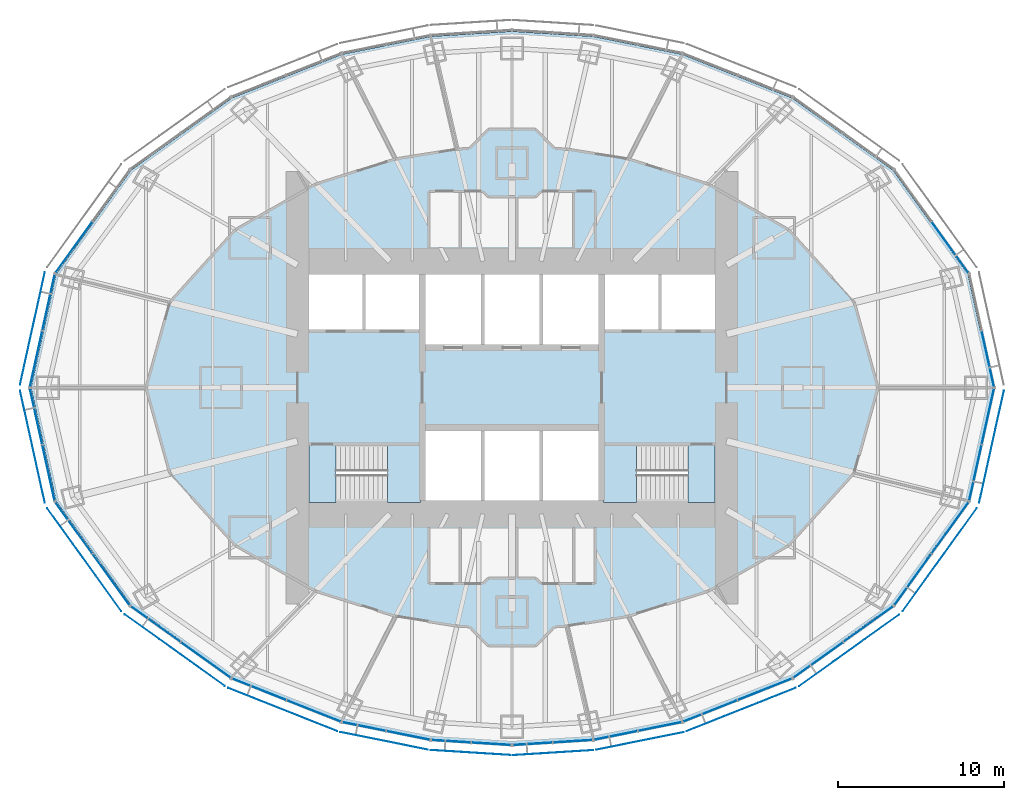
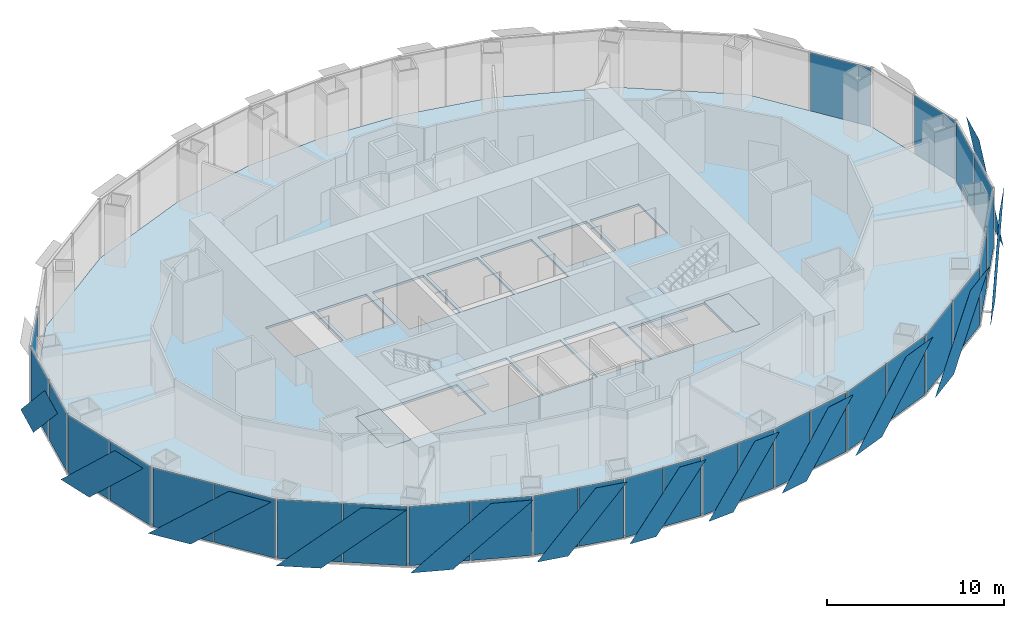
# One storey, part 9 of 18: 42 plates, 5 slabs, 18 elements without a shape of their own.
"""IFC4 building model written with IfcOpenShell, lengths in metres."""

from ifc_helpers import new_model, si_unit, direction, frame, origin, origin_2d, place, context, subcontext, project, spatial, polyline, rectangle, outline, extrude, material, layer, layer_set, type_object, element, aggregate, save


model = new_model("IFC4")

# Units and contexts
model_context = context("Model", 3, precision=1e-05, world=origin(), true_north=direction((0.0, 1.0)))
body_context = subcontext(model_context, "Body", "Model", "MODEL_VIEW")
ifc_project = project(units=[si_unit("LENGTHUNIT", "METRE"), si_unit("AREAUNIT", "SQUARE_METRE"), si_unit("VOLUMEUNIT", "CUBIC_METRE"), si_unit("PLANEANGLEUNIT", "RADIAN"), si_unit("MASSUNIT", "GRAM", prefix="KILO")], contexts=[model_context])

# Site, building, storey
site_placement = place(None, origin())
site = spatial("IfcSite", under=ifc_project, at=site_placement, CompositionType="ELEMENT")
building_placement = place(site_placement, origin())
building = spatial("IfcBuilding", under=site, at=building_placement, Name="Lantaw Convention Tower", CompositionType="ELEMENT")
storey_placement = place(building_placement, frame((0.0, 0.0, 176.199951171875)))
storey = spatial("IfcBuildingStorey", under=building, at=storey_placement, Name="L41", CompositionType="ELEMENT", Elevation=176.199951171875)

# Curtain wall, plate
ifc_material_1 = material(Name="Aluminium framed curtain wall", Category="aluminium")
curtain_wall_type = type_object("IfcCurtainWallType", Name="Office curtain wall low rise, pale aluminium", PredefinedType="USERDEFINED", material=ifc_material_1)
curtain_wall_1_placement = place(storey_placement, origin())
curtain_wall_1 = element("IfcCurtainWall", 1, at=curtain_wall_1_placement, inside=storey, type_object=curtain_wall_type, Name="Office curtain wall low rise, pale aluminium L41", ObjectType="UNITISED CURTAIN WALL", PredefinedType="USERDEFINED")
ifc_material_2 = material(Name="Clear insulating glass", Category="glass")
ifc_layer_1 = layer(ifc_material_2, 0.028076171875)
ifc_layer_set_1 = layer_set([ifc_layer_1], Name="CW-O1 panel 28")
plate_type_1 = type_object("IfcPlateType", Name="CW-O1 panel 28", PredefinedType="CURTAIN_PANEL", material=ifc_layer_set_1)
plate_1_placement = place(storey_placement, frame((28.618408203125, 1.729248046875, -0.0849609375), z_axis=(0.0, 0.0, 1.0), x_axis=(-0.215546166174, 0.9764936509, 0.0)))
plate_1 = element("IfcPlate", 2, at=plate_1_placement, type_object=plate_type_1, Name="CW-O1 panel 1.1", PredefinedType="CURTAIN_PANEL", context=body_context, shape_type="SweptSolid", body=[
    extrude(rectangle(XDim=3.41162109375, YDim=0.028076171875, at=origin_2d()), origin(), (0.0, 0.0, 1.0), 4.070068359375),
])
aggregate(curtain_wall_1, [plate_1])

curtain_wall_2_placement = place(storey_placement, origin())
curtain_wall_2 = element("IfcCurtainWall", 3, at=curtain_wall_2_placement, inside=storey, type_object=curtain_wall_type, Name="Office curtain wall low rise, pale aluminium L41", ObjectType="UNITISED CURTAIN WALL", PredefinedType="USERDEFINED")
plate_2_placement = place(storey_placement, frame((26.34814453125, 8.4345703125, -0.0849609375), z_axis=(0.0, 0.0, 1.0), x_axis=(-0.584512597221, 0.811384633629, 0.0)))
plate_2 = element("IfcPlate", 4, at=plate_2_placement, type_object=plate_type_1, Name="CW-O1 panel 1.1", PredefinedType="CURTAIN_PANEL", context=body_context, shape_type="SweptSolid", body=[
    extrude(rectangle(XDim=3.767333984375, YDim=0.028076171875, at=origin_2d()), origin(), (0.0, 0.0, 1.0), 4.070068359375),
])
aggregate(curtain_wall_2, [plate_2])

curtain_wall_3_placement = place(storey_placement, origin())
curtain_wall_3 = element("IfcCurtainWall", 5, at=curtain_wall_3_placement, inside=storey, type_object=curtain_wall_type, Name="Office curtain wall low rise, pale aluminium L41", ObjectType="UNITISED CURTAIN WALL", PredefinedType="USERDEFINED")
plate_3_placement = place(storey_placement, frame((-26.34814453125, 8.4345703125, -0.0849609375), z_axis=(0.0, 0.0, 1.0), x_axis=(-0.584512597221, -0.811384633629, 0.0)))
plate_3 = element("IfcPlate", 6, at=plate_3_placement, type_object=plate_type_1, Name="CW-O1 panel 2.1", PredefinedType="CURTAIN_PANEL", context=body_context, shape_type="SweptSolid", body=[
    extrude(rectangle(XDim=3.767333984375, YDim=0.028076171875, at=origin_2d()), origin(), (0.0, 0.0, 1.0), 4.070068359375),
])
aggregate(curtain_wall_3, [plate_3])

# Curtain wall, plates
curtain_wall_4_placement = place(storey_placement, origin())
curtain_wall_4 = element("IfcCurtainWall", 7, at=curtain_wall_4_placement, inside=storey, type_object=curtain_wall_type, Name="Office curtain wall low rise, pale aluminium L41", ObjectType="UNITISED CURTAIN WALL", PredefinedType="USERDEFINED")
plate_4_placement = place(storey_placement, frame((-27.868896484375, 5.1240234375, -0.0849609375), z_axis=(0.0, 0.0, 1.0), x_axis=(-0.215546166174, -0.9764936509, 0.0)))
plate_4 = element("IfcPlate", 8, at=plate_4_placement, type_object=plate_type_1, Name="CW-O1 panel 1.1", PredefinedType="CURTAIN_PANEL", context=body_context, shape_type="SweptSolid", body=[
    extrude(rectangle(XDim=3.41162109375, YDim=0.028076171875, at=origin_2d()), origin(), (0.0, 0.0, 1.0), 4.070068359375),
])
plate_5_placement = place(storey_placement, frame((-28.618408203125, 1.729248046875, -0.0849609375), z_axis=(0.0, 0.0, 1.0), x_axis=(-0.215546166174, -0.9764936509, 0.0)))
plate_5 = element("IfcPlate", 9, at=plate_5_placement, type_object=plate_type_1, Name="CW-O1 panel 2.1", PredefinedType="CURTAIN_PANEL", context=body_context, shape_type="SweptSolid", body=[
    extrude(rectangle(XDim=3.41162109375, YDim=0.028076171875, at=origin_2d()), origin(), (0.0, 0.0, 1.0), 4.070068359375),
])
aggregate(curtain_wall_4, [plate_4, plate_5])

curtain_wall_5_placement = place(storey_placement, origin())
curtain_wall_5 = element("IfcCurtainWall", 10, at=curtain_wall_5_placement, inside=storey, type_object=curtain_wall_type, Name="Office curtain wall low rise, pale aluminium L41", ObjectType="UNITISED CURTAIN WALL", PredefinedType="USERDEFINED")
plate_6_placement = place(storey_placement, frame((-28.618408203125, -1.729248046875, -0.0849609375), z_axis=(0.0, 0.0, 1.0), x_axis=(0.215546166174, -0.9764936509, 0.0)))
plate_6 = element("IfcPlate", 11, at=plate_6_placement, type_object=plate_type_1, Name="CW-O1 panel 1.1", PredefinedType="CURTAIN_PANEL", context=body_context, shape_type="SweptSolid", body=[
    extrude(rectangle(XDim=3.41162109375, YDim=0.028076171875, at=origin_2d()), origin(), (0.0, 0.0, 1.0), 4.070068359375),
])
plate_7_placement = place(storey_placement, frame((-27.868896484375, -5.1240234375, -0.0849609375), z_axis=(0.0, 0.0, 1.0), x_axis=(0.215546166174, -0.9764936509, 0.0)))
plate_7 = element("IfcPlate", 12, at=plate_7_placement, type_object=plate_type_1, Name="CW-O1 panel 2.1", PredefinedType="CURTAIN_PANEL", context=body_context, shape_type="SweptSolid", body=[
    extrude(rectangle(XDim=3.41162109375, YDim=0.028076171875, at=origin_2d()), origin(), (0.0, 0.0, 1.0), 4.070068359375),
])
aggregate(curtain_wall_5, [plate_6, plate_7])

curtain_wall_6_placement = place(storey_placement, origin())
curtain_wall_6 = element("IfcCurtainWall", 13, at=curtain_wall_6_placement, inside=storey, type_object=curtain_wall_type, Name="Office curtain wall low rise, pale aluminium L41", ObjectType="UNITISED CURTAIN WALL", PredefinedType="USERDEFINED")
plate_8_placement = place(storey_placement, frame((-26.34814453125, -8.4345703125, -0.0849609375), z_axis=(0.0, 0.0, 1.0), x_axis=(0.584512597221, -0.811384633629, 0.0)))
plate_8 = element("IfcPlate", 14, at=plate_8_placement, type_object=plate_type_1, Name="CW-O1 panel 1.1", PredefinedType="CURTAIN_PANEL", context=body_context, shape_type="SweptSolid", body=[
    extrude(rectangle(XDim=3.767333984375, YDim=0.028076171875, at=origin_2d()), origin(), (0.0, 0.0, 1.0), 4.070068359375),
])
plate_9_placement = place(storey_placement, frame((-24.108154296875, -11.5439453125, -0.0849609375), z_axis=(0.0, 0.0, 1.0), x_axis=(0.584512597221, -0.811384633629, 0.0)))
plate_9 = element("IfcPlate", 15, at=plate_9_placement, type_object=plate_type_1, Name="CW-O1 panel 2.1", PredefinedType="CURTAIN_PANEL", context=body_context, shape_type="SweptSolid", body=[
    extrude(rectangle(XDim=3.767333984375, YDim=0.028076171875, at=origin_2d()), origin(), (0.0, 0.0, 1.0), 4.070068359375),
])
aggregate(curtain_wall_6, [plate_8, plate_9])

curtain_wall_7_placement = place(storey_placement, origin())
curtain_wall_7 = element("IfcCurtainWall", 16, at=curtain_wall_7_placement, inside=storey, type_object=curtain_wall_type, Name="Office curtain wall low rise, pale aluminium L41", ObjectType="UNITISED CURTAIN WALL", PredefinedType="USERDEFINED")
plate_10_placement = place(storey_placement, frame((-21.43408203125, -14.2236328125, -0.0849609375), z_axis=(0.0, 0.0, 1.0), x_axis=(0.813208325995, -0.581972695693, 0.0)))
plate_10 = element("IfcPlate", 17, at=plate_10_placement, type_object=plate_type_1, Name="CW-O1 panel 1.1", PredefinedType="CURTAIN_PANEL", context=body_context, shape_type="SweptSolid", body=[
    extrude(rectangle(XDim=3.645263671875, YDim=0.028076171875, at=origin_2d()), origin(), (0.0, 0.0, 1.0), 4.070068359375),
])
plate_11_placement = place(storey_placement, frame((-18.416748046875, -16.383056640625, -0.0849609375), z_axis=(0.0, 0.0, 1.0), x_axis=(0.813208325995, -0.581972695693, 0.0)))
plate_11 = element("IfcPlate", 18, at=plate_11_placement, type_object=plate_type_1, Name="CW-O1 panel 2.1", PredefinedType="CURTAIN_PANEL", context=body_context, shape_type="SweptSolid", body=[
    extrude(rectangle(XDim=3.645263671875, YDim=0.028076171875, at=origin_2d()), origin(), (0.0, 0.0, 1.0), 4.070068359375),
])
aggregate(curtain_wall_7, [plate_10, plate_11])

curtain_wall_8_placement = place(storey_placement, origin())
curtain_wall_8 = element("IfcCurtainWall", 19, at=curtain_wall_8_placement, inside=storey, type_object=curtain_wall_type, Name="Office curtain wall low rise, pale aluminium L41", ObjectType="UNITISED CURTAIN WALL", PredefinedType="USERDEFINED")
plate_12_placement = place(storey_placement, frame((-15.208251953125, -18.145263671875, -0.0849609375), z_axis=(0.0, 0.0, 1.0), x_axis=(0.929547687544, -0.368701907483, 0.0)))
plate_12 = element("IfcPlate", 20, at=plate_12_placement, type_object=plate_type_1, Name="CW-O1 panel 1.1", PredefinedType="CURTAIN_PANEL", context=body_context, shape_type="SweptSolid", body=[
    extrude(rectangle(XDim=3.470703125, YDim=0.028076171875, at=origin_2d()), origin(), (0.0, 0.0, 1.0), 4.070068359375),
])
plate_13_placement = place(storey_placement, frame((-11.921630859375, -19.448974609375, -0.0849609375), z_axis=(0.0, 0.0, 1.0), x_axis=(0.929547687544, -0.368701907483, 0.0)))
plate_13 = element("IfcPlate", 21, at=plate_13_placement, type_object=plate_type_1, Name="CW-O1 panel 2.1", PredefinedType="CURTAIN_PANEL", context=body_context, shape_type="SweptSolid", body=[
    extrude(rectangle(XDim=3.470703125, YDim=0.028076171875, at=origin_2d()), origin(), (0.0, 0.0, 1.0), 4.070068359375),
])
aggregate(curtain_wall_8, [plate_12, plate_13])

curtain_wall_9_placement = place(storey_placement, origin())
curtain_wall_9 = element("IfcCurtainWall", 22, at=curtain_wall_9_placement, inside=storey, type_object=curtain_wall_type, Name="Office curtain wall low rise, pale aluminium L41", ObjectType="UNITISED CURTAIN WALL", PredefinedType="USERDEFINED")
plate_14_placement = place(storey_placement, frame((-8.893310546875, -20.3857421875, -0.0849609375), z_axis=(0.0, 0.0, 1.0), x_axis=(0.980301514912, -0.197506809659, 0.0)))
plate_14 = element("IfcPlate", 23, at=plate_14_placement, type_object=plate_type_1, Name="CW-O1 panel 1.1", PredefinedType="CURTAIN_PANEL", context=body_context, shape_type="SweptSolid", body=[
    extrude(rectangle(XDim=2.634033203125, YDim=0.028076171875, at=origin_2d()), origin(), (0.0, 0.0, 1.0), 4.070068359375),
])
plate_15_placement = place(storey_placement, frame((-6.247314453125, -20.9189453125, -0.0849609375), z_axis=(0.0, 0.0, 1.0), x_axis=(0.980301514912, -0.197506809659, 0.0)))
plate_15 = element("IfcPlate", 24, at=plate_15_placement, type_object=plate_type_1, Name="CW-O1 panel 2.1", PredefinedType="CURTAIN_PANEL", context=body_context, shape_type="SweptSolid", body=[
    extrude(rectangle(XDim=2.634033203125, YDim=0.028076171875, at=origin_2d()), origin(), (0.0, 0.0, 1.0), 4.070068359375),
])
aggregate(curtain_wall_9, [plate_14, plate_15])

curtain_wall_10_placement = place(storey_placement, origin())
curtain_wall_10 = element("IfcCurtainWall", 25, at=curtain_wall_10_placement, inside=storey, type_object=curtain_wall_type, Name="Office curtain wall low rise, pale aluminium L41", ObjectType="UNITISED CURTAIN WALL", PredefinedType="USERDEFINED")
plate_16_placement = place(storey_placement, frame((-3.653076171875, -21.269775390625, -0.0849609375), z_axis=(0.0, 0.0, 1.0), x_axis=(0.998022035978, -0.062865059466, 0.0)))
plate_16 = element("IfcPlate", 26, at=plate_16_placement, type_object=plate_type_1, Name="CW-O1 panel 1.1", PredefinedType="CURTAIN_PANEL", context=body_context, shape_type="SweptSolid", body=[
    extrude(rectangle(XDim=2.353515625, YDim=0.028076171875, at=origin_2d()), origin(), (0.0, 0.0, 1.0), 4.070068359375),
])
plate_17_placement = place(storey_placement, frame((-1.2392578125, -21.421875, -0.0849609375), z_axis=(0.0, 0.0, 1.0), x_axis=(0.998022035978, -0.062865059466, 0.0)))
plate_17 = element("IfcPlate", 27, at=plate_17_placement, type_object=plate_type_1, Name="CW-O1 panel 2.1", PredefinedType="CURTAIN_PANEL", context=body_context, shape_type="SweptSolid", body=[
    extrude(rectangle(XDim=2.353515625, YDim=0.028076171875, at=origin_2d()), origin(), (0.0, 0.0, 1.0), 4.070068359375),
])
aggregate(curtain_wall_10, [plate_16, plate_17])

curtain_wall_11_placement = place(storey_placement, origin())
curtain_wall_11 = element("IfcCurtainWall", 28, at=curtain_wall_11_placement, inside=storey, type_object=curtain_wall_type, Name="Office curtain wall low rise, pale aluminium L41", ObjectType="UNITISED CURTAIN WALL", PredefinedType="USERDEFINED")
plate_18_placement = place(storey_placement, frame((1.2392578125, -21.421875, -0.0849609375), z_axis=(0.0, 0.0, 1.0), x_axis=(0.998022035978, 0.062865059466, 0.0)))
plate_18 = element("IfcPlate", 29, at=plate_18_placement, type_object=plate_type_1, Name="CW-O1 panel 1.1", PredefinedType="CURTAIN_PANEL", context=body_context, shape_type="SweptSolid", body=[
    extrude(rectangle(XDim=2.353515625, YDim=0.028076171875, at=origin_2d()), origin(), (0.0, 0.0, 1.0), 4.070068359375),
])
plate_19_placement = place(storey_placement, frame((3.653076171875, -21.269775390625, -0.0849609375), z_axis=(0.0, 0.0, 1.0), x_axis=(0.998022035978, 0.062865059466, 0.0)))
plate_19 = element("IfcPlate", 30, at=plate_19_placement, type_object=plate_type_1, Name="CW-O1 panel 2.1", PredefinedType="CURTAIN_PANEL", context=body_context, shape_type="SweptSolid", body=[
    extrude(rectangle(XDim=2.353515625, YDim=0.028076171875, at=origin_2d()), origin(), (0.0, 0.0, 1.0), 4.070068359375),
])
aggregate(curtain_wall_11, [plate_18, plate_19])

curtain_wall_12_placement = place(storey_placement, origin())
curtain_wall_12 = element("IfcCurtainWall", 31, at=curtain_wall_12_placement, inside=storey, type_object=curtain_wall_type, Name="Office curtain wall low rise, pale aluminium L41", ObjectType="UNITISED CURTAIN WALL", PredefinedType="USERDEFINED")
plate_20_placement = place(storey_placement, frame((6.247314453125, -20.9189453125, -0.0849609375), z_axis=(0.0, 0.0, 1.0), x_axis=(0.980301514912, 0.197506809659, 0.0)))
plate_20 = element("IfcPlate", 32, at=plate_20_placement, type_object=plate_type_1, Name="CW-O1 panel 1.1", PredefinedType="CURTAIN_PANEL", context=body_context, shape_type="SweptSolid", body=[
    extrude(rectangle(XDim=2.634033203125, YDim=0.028076171875, at=origin_2d()), origin(), (0.0, 0.0, 1.0), 4.070068359375),
])
plate_21_placement = place(storey_placement, frame((8.893310546875, -20.3857421875, -0.0849609375), z_axis=(0.0, 0.0, 1.0), x_axis=(0.980301514912, 0.197506809659, 0.0)))
plate_21 = element("IfcPlate", 33, at=plate_21_placement, type_object=plate_type_1, Name="CW-O1 panel 2.1", PredefinedType="CURTAIN_PANEL", context=body_context, shape_type="SweptSolid", body=[
    extrude(rectangle(XDim=2.634033203125, YDim=0.028076171875, at=origin_2d()), origin(), (0.0, 0.0, 1.0), 4.070068359375),
])
aggregate(curtain_wall_12, [plate_20, plate_21])

curtain_wall_13_placement = place(storey_placement, origin())
curtain_wall_13 = element("IfcCurtainWall", 34, at=curtain_wall_13_placement, inside=storey, type_object=curtain_wall_type, Name="Office curtain wall low rise, pale aluminium L41", ObjectType="UNITISED CURTAIN WALL", PredefinedType="USERDEFINED")
plate_22_placement = place(storey_placement, frame((11.921630859375, -19.448974609375, -0.0849609375), z_axis=(0.0, 0.0, 1.0), x_axis=(0.929547687544, 0.368701907483, 0.0)))
plate_22 = element("IfcPlate", 35, at=plate_22_placement, type_object=plate_type_1, Name="CW-O1 panel 1.1", PredefinedType="CURTAIN_PANEL", context=body_context, shape_type="SweptSolid", body=[
    extrude(rectangle(XDim=3.470703125, YDim=0.028076171875, at=origin_2d()), origin(), (0.0, 0.0, 1.0), 4.070068359375),
])
plate_23_placement = place(storey_placement, frame((15.208251953125, -18.145263671875, -0.0849609375), z_axis=(0.0, 0.0, 1.0), x_axis=(0.929547687544, 0.368701907483, 0.0)))
plate_23 = element("IfcPlate", 36, at=plate_23_placement, type_object=plate_type_1, Name="CW-O1 panel 2.1", PredefinedType="CURTAIN_PANEL", context=body_context, shape_type="SweptSolid", body=[
    extrude(rectangle(XDim=3.470703125, YDim=0.028076171875, at=origin_2d()), origin(), (0.0, 0.0, 1.0), 4.070068359375),
])
aggregate(curtain_wall_13, [plate_22, plate_23])

curtain_wall_14_placement = place(storey_placement, origin())
curtain_wall_14 = element("IfcCurtainWall", 37, at=curtain_wall_14_placement, inside=storey, type_object=curtain_wall_type, Name="Office curtain wall low rise, pale aluminium L41", ObjectType="UNITISED CURTAIN WALL", PredefinedType="USERDEFINED")
plate_24_placement = place(storey_placement, frame((18.416748046875, -16.383056640625, -0.0849609375), z_axis=(0.0, 0.0, 1.0), x_axis=(0.813208325995, 0.581972695693, 0.0)))
plate_24 = element("IfcPlate", 38, at=plate_24_placement, type_object=plate_type_1, Name="CW-O1 panel 1.1", PredefinedType="CURTAIN_PANEL", context=body_context, shape_type="SweptSolid", body=[
    extrude(rectangle(XDim=3.645263671875, YDim=0.028076171875, at=origin_2d()), origin(), (0.0, 0.0, 1.0), 4.070068359375),
])
plate_25_placement = place(storey_placement, frame((21.43408203125, -14.2236328125, -0.0849609375), z_axis=(0.0, 0.0, 1.0), x_axis=(0.813208325995, 0.581972695693, 0.0)))
plate_25 = element("IfcPlate", 39, at=plate_25_placement, type_object=plate_type_1, Name="CW-O1 panel 2.1", PredefinedType="CURTAIN_PANEL", context=body_context, shape_type="SweptSolid", body=[
    extrude(rectangle(XDim=3.645263671875, YDim=0.028076171875, at=origin_2d()), origin(), (0.0, 0.0, 1.0), 4.070068359375),
])
aggregate(curtain_wall_14, [plate_24, plate_25])

curtain_wall_15_placement = place(storey_placement, origin())
curtain_wall_15 = element("IfcCurtainWall", 40, at=curtain_wall_15_placement, inside=storey, type_object=curtain_wall_type, Name="Office curtain wall low rise, pale aluminium L41", ObjectType="UNITISED CURTAIN WALL", PredefinedType="USERDEFINED")
plate_26_placement = place(storey_placement, frame((24.108154296875, -11.5439453125, -0.0849609375), z_axis=(0.0, 0.0, 1.0), x_axis=(0.584512597221, 0.811384633629, 0.0)))
plate_26 = element("IfcPlate", 41, at=plate_26_placement, type_object=plate_type_1, Name="CW-O1 panel 1.1", PredefinedType="CURTAIN_PANEL", context=body_context, shape_type="SweptSolid", body=[
    extrude(rectangle(XDim=3.767333984375, YDim=0.028076171875, at=origin_2d()), origin(), (0.0, 0.0, 1.0), 4.070068359375),
])
plate_27_placement = place(storey_placement, frame((26.34814453125, -8.4345703125, -0.0849609375), z_axis=(0.0, 0.0, 1.0), x_axis=(0.584512597221, 0.811384633629, 0.0)))
plate_27 = element("IfcPlate", 42, at=plate_27_placement, type_object=plate_type_1, Name="CW-O1 panel 2.1", PredefinedType="CURTAIN_PANEL", context=body_context, shape_type="SweptSolid", body=[
    extrude(rectangle(XDim=3.767333984375, YDim=0.028076171875, at=origin_2d()), origin(), (0.0, 0.0, 1.0), 4.070068359375),
])
aggregate(curtain_wall_15, [plate_26, plate_27])

curtain_wall_16_placement = place(storey_placement, origin())
curtain_wall_16 = element("IfcCurtainWall", 43, at=curtain_wall_16_placement, inside=storey, type_object=curtain_wall_type, Name="Office curtain wall low rise, pale aluminium L41", ObjectType="UNITISED CURTAIN WALL", PredefinedType="USERDEFINED")
plate_28_placement = place(storey_placement, frame((27.868896484375, -5.1240234375, -0.0849609375), z_axis=(0.0, 0.0, 1.0), x_axis=(0.215546166174, 0.9764936509, 0.0)))
plate_28 = element("IfcPlate", 44, at=plate_28_placement, type_object=plate_type_1, Name="CW-O1 panel 1.1", PredefinedType="CURTAIN_PANEL", context=body_context, shape_type="SweptSolid", body=[
    extrude(rectangle(XDim=3.41162109375, YDim=0.028076171875, at=origin_2d()), origin(), (0.0, 0.0, 1.0), 4.070068359375),
])
plate_29_placement = place(storey_placement, frame((28.618408203125, -1.729248046875, -0.0849609375), z_axis=(0.0, 0.0, 1.0), x_axis=(0.215546166174, 0.9764936509, 0.0)))
plate_29 = element("IfcPlate", 45, at=plate_29_placement, type_object=plate_type_1, Name="CW-O1 panel 2.1", PredefinedType="CURTAIN_PANEL", context=body_context, shape_type="SweptSolid", body=[
    extrude(rectangle(XDim=3.41162109375, YDim=0.028076171875, at=origin_2d()), origin(), (0.0, 0.0, 1.0), 4.070068359375),
])
aggregate(curtain_wall_16, [plate_28, plate_29])

# Slab
ifc_material_3 = material(Name="Concrete C35/45", Category="concrete")
ifc_layer_2 = layer(ifc_material_3, 0.14990234375)
ifc_layer_set_2 = layer_set([ifc_layer_2], Name="Floor slab 150")
slab_type_1 = type_object("IfcSlabType", Name="Floor slab 150", PredefinedType="FLOOR", material=ifc_layer_set_2)
slab_1_placement = place(storey_placement, frame((0.0, 0.0, -0.14990234375)))
element("IfcSlab", 46, at=slab_1_placement, inside=storey, type_object=slab_type_1, Name="L41 floor slab", PredefinedType="FLOOR", context=body_context, shape_type="SweptSolid", body=[
    extrude(outline(polyline([(27.417236328125, -6.822021484375), (28.923095703125, 0.0), (27.417236328125, 6.822021484375), (22.915283203125, 13.0712890625), (16.845458984375, 17.415283203125), (10.2265625, 20.04052734375), (4.8828125, 21.1171875), (0.0, 21.4248046875), (-4.8828125, 21.1171875), (-10.2265625, 20.04052734375), (-16.845458984375, 17.415283203125), (-22.915283203125, 13.0712890625), (-27.417236328125, 6.822021484375), (-28.923095703125, 0.0), (-27.417236328125, -6.822021484375), (-22.915283203125, -13.0712890625), (-16.845458984375, -17.415283203125), (-10.2265625, -20.04052734375), (-4.8828125, -21.1171875), (0.0, -21.4248046875), (4.8828125, -21.1171875), (10.2265625, -20.04052734375), (16.845458984375, -17.415283203125), (22.915283203125, -13.0712890625), (27.417236328125, -6.822021484375)]), holes=[polyline([(-5.60009765625, -3.5), (-12.199951171875, -3.5), (-12.199951171875, -6.800048828125), (-5.60009765625, -6.800048828125), (-5.60009765625, -3.5)]), polyline([(-1.86669921875, -6.800048828125), (-1.86669921875, -2.60009765625), (-5.199951171875, -2.60009765625), (-5.199951171875, -6.800048828125), (-1.86669921875, -6.800048828125)]), polyline([(-1.86669921875, 2.60009765625), (-1.86669921875, 6.800048828125), (-5.199951171875, 6.800048828125), (-5.199951171875, 2.60009765625), (-1.86669921875, 2.60009765625)]), polyline([(1.666748046875, 6.800048828125), (-1.666748046875, 6.800048828125), (-1.666748046875, 2.60009765625), (1.666748046875, 2.60009765625), (1.666748046875, 6.800048828125)]), polyline([(-9.0, 3.5), (-9.0, 6.800048828125), (-12.199951171875, 6.800048828125), (-12.199951171875, 3.5), (-9.0, 3.5)]), polyline([(-5.60009765625, 3.5), (-5.60009765625, 6.800048828125), (-8.800048828125, 6.800048828125), (-8.800048828125, 3.5), (-5.60009765625, 3.5)]), polyline([(12.199951171875, -3.5), (5.60009765625, -3.5), (5.60009765625, -6.800048828125), (12.199951171875, -6.800048828125), (12.199951171875, -3.5)]), polyline([(1.666748046875, -6.800048828125), (1.666748046875, -2.60009765625), (-1.666748046875, -2.60009765625), (-1.666748046875, -6.800048828125), (1.666748046875, -6.800048828125)]), polyline([(5.199951171875, -6.800048828125), (5.199951171875, -2.60009765625), (1.86669921875, -2.60009765625), (1.86669921875, -6.800048828125), (5.199951171875, -6.800048828125)]), polyline([(5.199951171875, 6.800048828125), (1.86669921875, 6.800048828125), (1.86669921875, 2.60009765625), (5.199951171875, 2.60009765625), (5.199951171875, 6.800048828125)]), polyline([(8.800048828125, 3.5), (8.800048828125, 6.800048828125), (5.60009765625, 6.800048828125), (5.60009765625, 3.5), (8.800048828125, 3.5)]), polyline([(12.199951171875, 3.5), (12.199951171875, 6.800048828125), (9.0, 6.800048828125), (9.0, 3.5), (12.199951171875, 3.5)])]), origin(), (0.0, 0.0, 1.0), 0.14990234375),
])

# Plates
ifc_material_4 = material(Name="Perforated aluminium sheet, pale silver finish", Category="aluminium")
ifc_layer_3 = layer(ifc_material_4, 0.006103515625)
ifc_layer_set_3 = layer_set([ifc_layer_3], Name="Perforated aluminium solar SCREEN panel")
plate_type_2 = type_object("IfcPlateType", Name="Perforated aluminium solar SCREEN panel", PredefinedType="SHEET", material=ifc_layer_set_3)
plate_30_placement = place(storey_placement, frame((-28.08984375, 6.93505859375, -0.175048828125), z_axis=(0.976497812463, -0.215527309509, 3.332717e-05), x_axis=(-0.215527309629, -0.976497813005, -1.665e-09)))
element("IfcPlate", 47, at=plate_30_placement, inside=storey, type_object=plate_type_2, Name="Solar SCREEN panel", PredefinedType="SHEET", context=body_context, shape_type="SweptSolid", body=[
    extrude(outline(polyline([(0.0, 0.0), (2.386131748388921, 0.0), (6.918240176095255, -4.340087904553372), (4.532055808734257, -4.3400878966079945), (0.0, 0.0)])), origin(), (0.0, 0.0, -1.0), 0.006103515625),
])
plate_31_placement = place(storey_placement, frame((-29.5810546875, -0.179443359375, -0.175048828125), z_axis=(-0.976497812463, -0.215527309509, 3.332717e-05), x_axis=(0.215527309629, -0.976497813005, 1.665e-09)))
element("IfcPlate", 48, at=plate_31_placement, inside=storey, type_object=plate_type_2, Name="Solar SCREEN panel", PredefinedType="SHEET", context=body_context, shape_type="SweptSolid", body=[
    extrude(outline(polyline([(0.0, 0.0), (2.3861843673609986, 3.3881317890172014e-21), (6.918240190546627, 4.340087881517419), (4.532108442157707, 4.340087889462621), (0.0, 0.0)])), origin(), (0.0, 0.0, -1.0), 0.006103515625),
])
plate_32_placement = place(storey_placement, frame((-27.94970703125, -7.248046875, -0.175048828125), z_axis=(-0.81139512159, -0.584498037099, 3.5886784e-05), x_axis=(0.584498037475, -0.811395122112, -9.74e-10)))
element("IfcPlate", 49, at=plate_32_placement, inside=storey, type_object=plate_type_2, Name="Solar SCREEN panel", PredefinedType="SHEET", context=body_context, shape_type="SweptSolid", body=[
    extrude(outline(polyline([(0.0, 0.0), (2.628222178575422, -6.776263578034403e-21), (7.629778257969264, 4.340087900852944), (5.001754173906077, 4.340087895732103), (0.0, 0.0)])), origin(), (0.0, 0.0, -1.0), 0.006103515625),
])
plate_33_placement = place(storey_placement, frame((-23.281005859375, -13.64697265625, -0.175048828125), z_axis=(-0.582000183937, -0.813188653244, 1.1537145e-05), x_axis=(0.813188653298, -0.582000183975, 0.0)))
element("IfcPlate", 50, at=plate_33_placement, inside=storey, type_object=plate_type_2, Name="Solar SCREEN panel", PredefinedType="SHEET", context=body_context, shape_type="SweptSolid", body=[
    extrude(outline(polyline([(0.0, 0.0), (2.5450183911586484, 0.0), (7.385531276904658, 4.340087890913846), (4.840512885746009, 4.340087890913846), (0.0, 0.0)])), origin(), (0.0, 0.0, -1.0), 0.006103515625),
])
plate_34_placement = place(storey_placement, frame((-17.05859375, -18.063232421875, -0.175048828125), z_axis=(0.368708915367, 0.929544907797, 1.086705e-05), x_axis=(0.929544907851, -0.368708915389, 7.1e-10)))
element("IfcPlate", 51, at=plate_34_placement, inside=storey, type_object=plate_type_2, Name="Solar SCREEN panel", PredefinedType="SHEET", context=body_context, shape_type="SweptSolid", body=[
    extrude(outline(polyline([(0.0, 0.0), (2.4263803793049097, -1.6940658945086007e-21), (7.036549629566982, -4.340087885886879), (4.61003232741235, -4.340087889331358), (0.0, 0.0)])), origin(), (0.0, 0.0, -1.0), 0.006103515625),
])
plate_35_placement = place(storey_placement, frame((-10.318603515625, -20.716796875, -0.175048828125), z_axis=(-0.197556725442, -0.980291455983, 3.9483498e-05), x_axis=(0.980291456747, -0.197556725596, 0.0)))
element("IfcPlate", 52, at=plate_35_placement, inside=storey, type_object=plate_type_2, Name="Solar SCREEN panel", PredefinedType="SHEET", context=body_context, shape_type="SweptSolid", body=[
    extrude(outline(polyline([(0.0, 0.0), (1.8574075788555457, 3.3881317890172014e-21), (5.362987026845185, 4.340087894007983), (3.505579447989639, 4.340087894007983), (0.0, 0.0)])), origin(), (0.0, 0.0, -1.0), 0.006103515625),
])
plate_36_placement = place(storey_placement, frame((-4.880615234375, -21.7998046875, -0.175048828125), z_axis=(-0.062838799866, -0.998023689713, 1.755059e-06), x_axis=(0.998023689715, -0.062838799866, -8e-12)))
element("IfcPlate", 53, at=plate_36_placement, inside=storey, type_object=plate_type_2, Name="Solar SCREEN panel", PredefinedType="SHEET", context=body_context, shape_type="SweptSolid", body=[
    extrude(outline(polyline([(0.0, 0.0), (1.6666243269452135, 2.6469779601696886e-23), (4.802214797186689, 4.340087890670476), (3.135346812114104, 4.340087890643548), (0.0, 0.0)])), origin(), (0.0, 0.0, -1.0), 0.006103515625),
])
plate_37_placement = place(storey_placement, frame((0.087890625, -22.1015625, -0.175048828125), z_axis=(-0.062838799866, 0.998023689713, 1.755059e-06), x_axis=(0.998023689715, 0.062838799866, 8e-12)))
element("IfcPlate", 54, at=plate_37_placement, inside=storey, type_object=plate_type_2, Name="Solar SCREEN panel", PredefinedType="SHEET", context=body_context, shape_type="SweptSolid", body=[
    extrude(outline(polyline([(0.0, 0.0), (1.6668679850725854, -5.293955920339377e-23), (4.802214797256801, -4.340087890592899), (3.1355904703115876, -4.340087890619822), (0.0, 0.0)])), origin(), (0.0, 0.0, -1.0), 0.006103515625),
])
plate_38_placement = place(storey_placement, frame((5.061279296875, -21.776123046875, -0.175048828125), z_axis=(-0.197556725442, 0.980291455983, 3.9483498e-05), x_axis=(0.980291456747, 0.197556725596, 0.0)))
element("IfcPlate", 55, at=plate_38_placement, inside=storey, type_object=plate_type_2, Name="Solar SCREEN panel", PredefinedType="SHEET", context=body_context, shape_type="SweptSolid", body=[
    extrude(outline(polyline([(0.0, 0.0), (1.8574075788555457, -3.3881317890172014e-21), (5.362987026845185, -4.340087894007983), (3.505579447989639, -4.340087894007983), (0.0, 0.0)])), origin(), (0.0, 0.0, -1.0), 0.006103515625),
])
plate_39_placement = place(storey_placement, frame((10.517822265625, -20.65771484375, -0.175048828125), z_axis=(0.368708915367, -0.929544907797, 1.086705e-05), x_axis=(0.929544907851, 0.368708915389, -7.1e-10)))
element("IfcPlate", 56, at=plate_39_placement, inside=storey, type_object=plate_type_2, Name="Solar SCREEN panel", PredefinedType="SHEET", context=body_context, shape_type="SweptSolid", body=[
    extrude(outline(polyline([(0.0, 0.0), (2.426517302154632, -1.6940658945086007e-21), (7.036549623406159, 4.340087895875372), (4.610169244101249, 4.340087892431086), (0.0, 0.0)])), origin(), (0.0, 0.0, -1.0), 0.006103515625),
])
plate_40_placement = place(storey_placement, frame((17.275146484375, -17.9453125, -0.175048828125), z_axis=(-0.582000183937, 0.813188653244, 1.1537145e-05), x_axis=(0.813188653298, 0.582000183975, 0.0)))
element("IfcPlate", 57, at=plate_40_placement, inside=storey, type_object=plate_type_2, Name="Solar SCREEN panel", PredefinedType="SHEET", context=body_context, shape_type="SweptSolid", body=[
    extrude(outline(polyline([(0.0, 0.0), (2.5450183911586484, 0.0), (7.385531276904658, -4.340087890913846), (4.840512885746009, -4.340087890913846), (0.0, 0.0)])), origin(), (0.0, 0.0, -1.0), 0.006103515625),
])
plate_41_placement = place(storey_placement, frame((23.489990234375, -13.438720703125, -0.175048828125), z_axis=(-0.81139512159, 0.584498037099, 3.5886784e-05), x_axis=(0.584498037475, 0.811395122112, 9.74e-10)))
element("IfcPlate", 58, at=plate_41_placement, inside=storey, type_object=plate_type_2, Name="Solar SCREEN panel", PredefinedType="SHEET", context=body_context, shape_type="SweptSolid", body=[
    extrude(outline(polyline([(0.0, 0.0), (2.6280240840631874, -6.776263578034403e-21), (7.6297782664261495, -4.340087885985926), (5.0015560878507275, -4.340087891107152), (0.0, 0.0)])), origin(), (0.0, 0.0, -1.0), 0.006103515625),
])
plate_42_placement = place(storey_placement, frame((28.08984375, -6.93505859375, -0.175048828125), z_axis=(-0.976497812463, 0.215527309509, 3.332717e-05), x_axis=(0.215527309629, 0.976497813005, -1.665e-09)))
element("IfcPlate", 59, at=plate_42_placement, inside=storey, type_object=plate_type_2, Name="Solar SCREEN panel", PredefinedType="SHEET", context=body_context, shape_type="SweptSolid", body=[
    extrude(outline(polyline([(0.0, 0.0), (2.386131748388921, 0.0), (6.918240176095255, -4.340087904553372), (4.532055808734257, -4.3400878966079945), (0.0, 0.0)])), origin(), (0.0, 0.0, -1.0), 0.006103515625),
])

# Stair, slabs
stair_type = type_object("IfcStairType", Name="Exit stair 1500 riser 175 in 2 flights", PredefinedType="HALF_TURN_STAIR", material=ifc_material_3)
stair_1_placement = place(storey_placement, origin())
stair_1 = element("IfcStair", 60, at=stair_1_placement, inside=storey, type_object=stair_type, Name="Exit stair S1 L41", PredefinedType="HALF_TURN_STAIR")
ifc_layer_4 = layer(ifc_material_3, 0.199951171875)
ifc_layer_set_4 = layer_set([ifc_layer_4], Name="Stair landing 200")
slab_type_2 = type_object("IfcSlabType", Name="Stair landing 200", PredefinedType="LANDING", material=ifc_layer_set_4)
slab_2_placement = place(storey_placement, frame((0.0, 0.0, -0.199951171875)))
slab_2 = element("IfcSlab", 61, at=slab_2_placement, type_object=slab_type_2, Name="S1 landing 1", PredefinedType="LANDING", context=body_context, shape_type="SweptSolid", body=[
    extrude(outline(polyline([(-12.199951171875, -6.89990234375), (-10.580078125, -6.89990234375), (-10.580078125, -3.39990234375), (-12.199951171875, -3.39990234375), (-12.199951171875, -6.89990234375)])), origin(), (0.0, 0.0, 1.0), 0.199951171875),
])
slab_3_placement = place(storey_placement, frame((0.0, 0.0, 1.900146484375)))
slab_3 = element("IfcSlab", 62, at=slab_3_placement, type_object=slab_type_2, Name="S1 landing 2", PredefinedType="LANDING", context=body_context, shape_type="SweptSolid", body=[
    extrude(outline(polyline([(-7.5, -6.89990234375), (-5.5, -6.89990234375), (-5.5, -3.39990234375), (-7.5, -3.39990234375), (-7.5, -6.89990234375)])), origin(), (0.0, 0.0, 1.0), 0.199951171875),
])
aggregate(stair_1, [slab_2, slab_3])

stair_2_placement = place(storey_placement, origin())
stair_2 = element("IfcStair", 63, at=stair_2_placement, inside=storey, type_object=stair_type, Name="Exit stair S2 L41", PredefinedType="HALF_TURN_STAIR")
slab_4_placement = place(storey_placement, frame((0.0, 0.0, -0.199951171875)))
slab_4 = element("IfcSlab", 64, at=slab_4_placement, type_object=slab_type_2, Name="S2 landing 1", PredefinedType="LANDING", context=body_context, shape_type="SweptSolid", body=[
    extrude(outline(polyline([(10.580078125, -6.89990234375), (12.199951171875, -6.89990234375), (12.199951171875, -3.39990234375), (10.580078125, -3.39990234375), (10.580078125, -6.89990234375)])), origin(), (0.0, 0.0, 1.0), 0.199951171875),
])
slab_5_placement = place(storey_placement, frame((0.0, 0.0, 1.900146484375)))
slab_5 = element("IfcSlab", 65, at=slab_5_placement, type_object=slab_type_2, Name="S2 landing 2", PredefinedType="LANDING", context=body_context, shape_type="SweptSolid", body=[
    extrude(outline(polyline([(5.5, -6.89990234375), (7.5, -6.89990234375), (7.5, -3.39990234375), (5.5, -3.39990234375), (5.5, -6.89990234375)])), origin(), (0.0, 0.0, 1.0), 0.199951171875),
])
aggregate(stair_2, [slab_4, slab_5])

save(model, "model.ifc")
